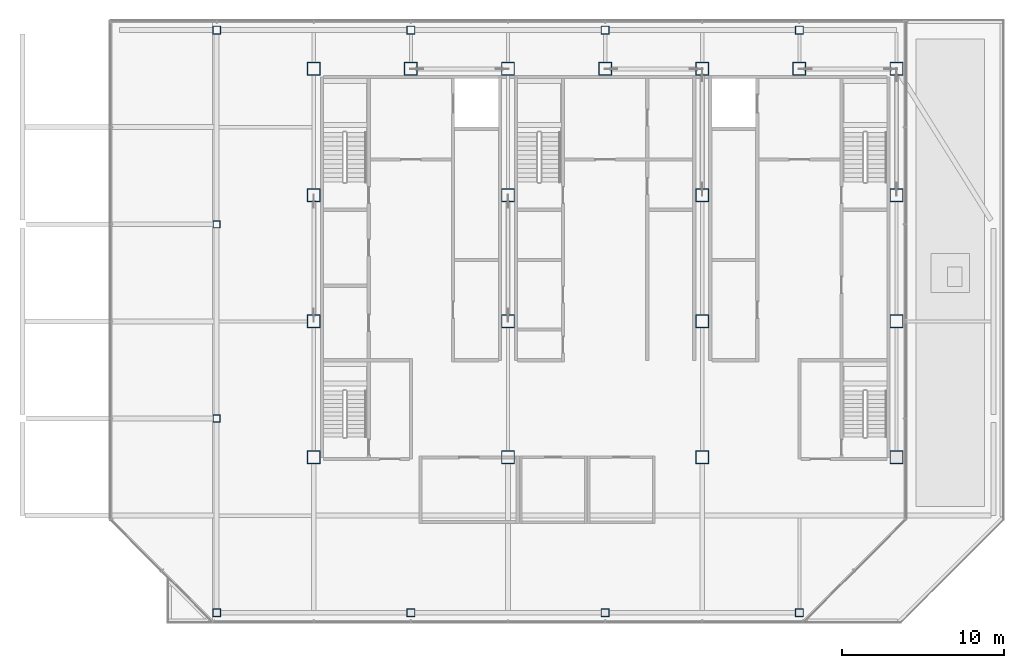
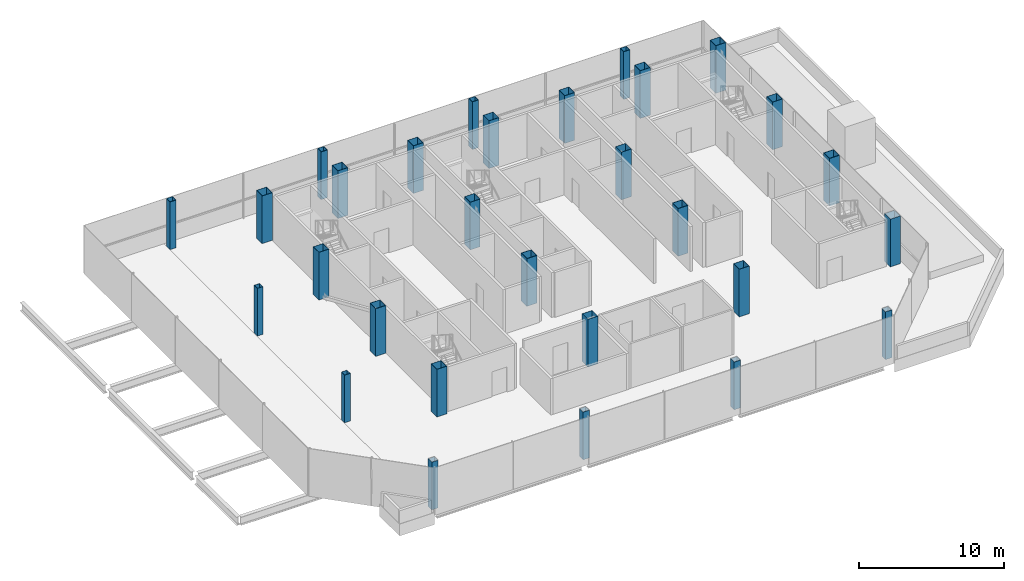
# One storey, part 1 of 17: 29 columns.
"""IFC4 building model written with IfcOpenShell, lengths in metres."""

from ifc_helpers import new_model, si_unit, direction, frame, origin, origin_2d, place, context, subcontext, project, spatial, hollow_rectangle, extrude, material, material_profile, profile_set, type_object, element, save


model = new_model("IFC4")

# Units and contexts
model_context = context("Model", 3, precision=1e-05, world=origin(), true_north=direction((0.0, 1.0)))
body_context = subcontext(model_context, "Body", "Model", "MODEL_VIEW")
ifc_project = project(units=[si_unit("LENGTHUNIT", "METRE"), si_unit("AREAUNIT", "SQUARE_METRE"), si_unit("VOLUMEUNIT", "CUBIC_METRE"), si_unit("PLANEANGLEUNIT", "RADIAN"), si_unit("MASSUNIT", "GRAM", prefix="KILO")], contexts=[model_context])

# Site, building, storey
site_placement = place(None, origin())
site = spatial("IfcSite", under=ifc_project, at=site_placement, CompositionType="ELEMENT")
building_placement = place(site_placement, origin())
building = spatial("IfcBuilding", under=site, at=building_placement, Name="Sorahane Residences", CompositionType="ELEMENT")
storey_placement = place(building_placement, frame((0.0, 0.0, 341.800048828125)))
storey = spatial("IfcBuildingStorey", under=building, at=storey_placement, Name="L81", CompositionType="ELEMENT", Elevation=341.800048828125)

# Columns
ifc_material_1 = material(Name="Steel Q355B", Category="steel")
ifc_material_profile_1 = material_profile(ifc_material_1, hollow_rectangle(XDim=0.449951171875, YDim=0.449951171875, WallThickness=0.02197265625, at=origin_2d()), Name="BOX 450x450x22")
ifc_profile_set_1 = profile_set([ifc_material_profile_1], Name="Steel Q355B")
column_type_1 = type_object("IfcColumnType", Name="Steel box column BOX 450x450x22 Q355B", PredefinedType="COLUMN", material=ifc_profile_set_1)
for number, where, z_axis, x_axis, name in (
    (1, (0.0, 24.0, 0.0), (0.0, 0.0, 1.0), (1.0, 0.0, 0.0), "Column L81 0/24"),
    (2, (0.0, 36.0, 0.0), (0.0, 0.0, 1.0), (1.0, 0.0, 0.0), "Column L81 0/36"),
):
    element("IfcColumn", number, at=place(storey_placement, frame(where, z_axis=z_axis, x_axis=x_axis)), inside=storey, type_object=column_type_1, Name=name, PredefinedType="COLUMN", context=body_context, shape_type="SweptSolid", body=[
        extrude(hollow_rectangle(XDim=0.449951171875, YDim=0.449951171875, WallThickness=0.02197265625, at=origin_2d()), origin(), (0.0, 0.0, 1.0), 4.0),
    ])
ifc_material_2 = material(Name="Steel Q355B", Category="steel")
ifc_material_profile_2 = material_profile(ifc_material_2, hollow_rectangle(XDim=0.5, YDim=0.5, WallThickness=0.02490234375, at=origin_2d()), Name="BOX 500x500x25")
ifc_profile_set_2 = profile_set([ifc_material_profile_2], Name="Steel Q355B")
column_type_2 = type_object("IfcColumnType", Name="Steel box column BOX 500x500x25 Q355B", PredefinedType="COLUMN", material=ifc_profile_set_2)
for number, where, z_axis, x_axis, name in (
    (3, (0.0, 12.0, 0.0), (0.0, 0.0, 1.0), (1.0, 0.0, 0.0), "Column L81 0/12"),
    (4, (0.0, 48.0, 0.0), (0.0, 0.0, 1.0), (1.0, 0.0, 0.0), "Column L81 0/48"),
    (5, (12.0, 12.0, 0.0), (0.0, 0.0, 1.0), (1.0, 0.0, 0.0), "Column L81 12/12"),
    (6, (12.0, 48.0, 0.0), (0.0, 0.0, 1.0), (1.0, 0.0, 0.0), "Column L81 12/48"),
    (7, (24.0, 12.0, 0.0), (0.0, 0.0, 1.0), (1.0, 0.0, 0.0), "Column L81 24/12"),
    (8, (24.0, 48.0, 0.0), (0.0, 0.0, 1.0), (1.0, 0.0, 0.0), "Column L81 24/48"),
    (9, (36.0, 12.0, 0.0), (0.0, 0.0, 1.0), (1.0, 0.0, 0.0), "Column L81 36/12"),
    (10, (36.0, 48.0, 0.0), (0.0, 0.0, 1.0), (1.0, 0.0, 0.0), "Column L81 36/48"),
):
    element("IfcColumn", number, at=place(storey_placement, frame(where, z_axis=z_axis, x_axis=x_axis)), inside=storey, type_object=column_type_2, Name=name, PredefinedType="COLUMN", context=body_context, shape_type="SweptSolid", body=[
        extrude(hollow_rectangle(XDim=0.5, YDim=0.5, WallThickness=0.02490234375, at=origin_2d()), origin(), (0.0, 0.0, 1.0), 4.0),
    ])
ifc_material_3 = material(Name="Steel Q355B", Category="steel")
ifc_material_profile_3 = material_profile(ifc_material_3, hollow_rectangle(XDim=0.800048828125, YDim=0.800048828125, WallThickness=0.02490234375, at=origin_2d()), Name="BOX 800x800x25")
ifc_profile_set_3 = profile_set([ifc_material_profile_3], Name="Steel Q355B")
column_type_3 = type_object("IfcColumnType", Name="Steel box column BOX 800x800x25 Q355B", PredefinedType="COLUMN", material=ifc_profile_set_3)
for number, where, z_axis, x_axis, name in (
    (11, (6.0, 21.60009765625, 0.0), (0.0, 0.0, 1.0), (1.0, 0.0, 0.0), "Column L81 6/21.6"),
    (12, (6.0, 30.0, 0.0), (0.0, 0.0, 1.0), (1.0, 0.0, 0.0), "Column L81 6/30"),
    (13, (6.0, 37.800048828125, 0.0), (0.0, 0.0, 1.0), (1.0, 0.0, 0.0), "Column L81 6/37.8"),
    (14, (6.0, 45.60009765625, 0.0), (0.0, 0.0, 1.0), (1.0, 0.0, 0.0), "Column L81 6/45.6"),
    (15, (12.0, 45.60009765625, 0.0), (0.0, 0.0, 1.0), (1.0, 0.0, 0.0), "Column L81 12/45.6"),
    (16, (18.0, 21.60009765625, 0.0), (0.0, 0.0, 1.0), (1.0, 0.0, 0.0), "Column L81 18/21.6"),
    (17, (18.0, 30.0, 0.0), (0.0, 0.0, 1.0), (1.0, 0.0, 0.0), "Column L81 18/30"),
    (18, (18.0, 37.800048828125, 0.0), (0.0, 0.0, 1.0), (1.0, 0.0, 0.0), "Column L81 18/37.8"),
    (19, (18.0, 45.60009765625, 0.0), (0.0, 0.0, 1.0), (1.0, 0.0, 0.0), "Column L81 18/45.6"),
    (20, (24.0, 45.60009765625, 0.0), (0.0, 0.0, 1.0), (1.0, 0.0, 0.0), "Column L81 24/45.6"),
    (21, (30.0, 21.60009765625, 0.0), (0.0, 0.0, 1.0), (1.0, 0.0, 0.0), "Column L81 30/21.6"),
    (22, (30.0, 30.0, 0.0), (0.0, 0.0, 1.0), (1.0, 0.0, 0.0), "Column L81 30/30"),
    (23, (30.0, 37.800048828125, 0.0), (0.0, 0.0, 1.0), (1.0, 0.0, 0.0), "Column L81 30/37.8"),
    (24, (30.0, 45.60009765625, 0.0), (0.0, 0.0, 1.0), (1.0, 0.0, 0.0), "Column L81 30/45.6"),
    (25, (36.0, 45.60009765625, 0.0), (0.0, 0.0, 1.0), (1.0, 0.0, 0.0), "Column L81 36/45.6"),
    (26, (42.0, 21.60009765625, 0.0), (0.0, 0.0, 1.0), (1.0, 0.0, 0.0), "Column L81 42/21.6"),
    (27, (42.0, 30.0, 0.0), (0.0, 0.0, 1.0), (1.0, 0.0, 0.0), "Column L81 42/30"),
    (28, (42.0, 37.800048828125, 0.0), (0.0, 0.0, 1.0), (1.0, 0.0, 0.0), "Column L81 42/37.8"),
    (29, (42.0, 45.60009765625, 0.0), (0.0, 0.0, 1.0), (1.0, 0.0, 0.0), "Column L81 42/45.6"),
):
    element("IfcColumn", number, at=place(storey_placement, frame(where, z_axis=z_axis, x_axis=x_axis)), inside=storey, type_object=column_type_3, Name=name, PredefinedType="COLUMN", context=body_context, shape_type="SweptSolid", body=[
        extrude(hollow_rectangle(XDim=0.800048828125, YDim=0.800048828125, WallThickness=0.02490234375, at=origin_2d()), origin(), (0.0, 0.0, 1.0), 4.0),
    ])

save(model, "model.ifc")
